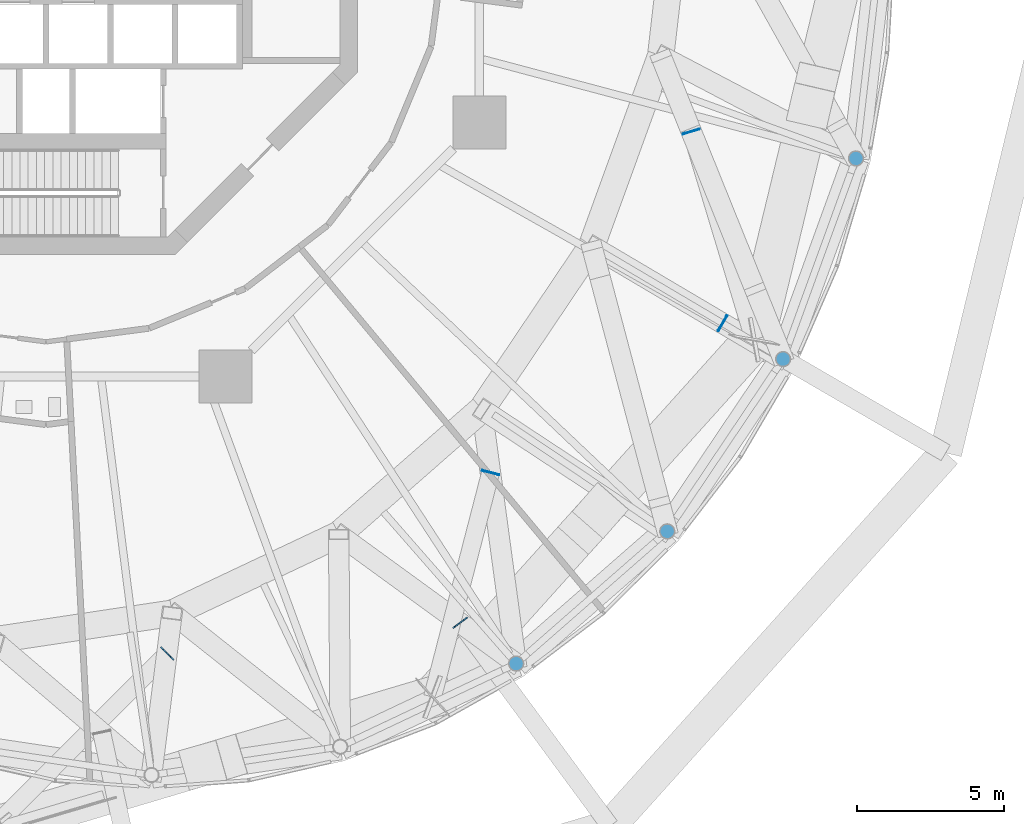
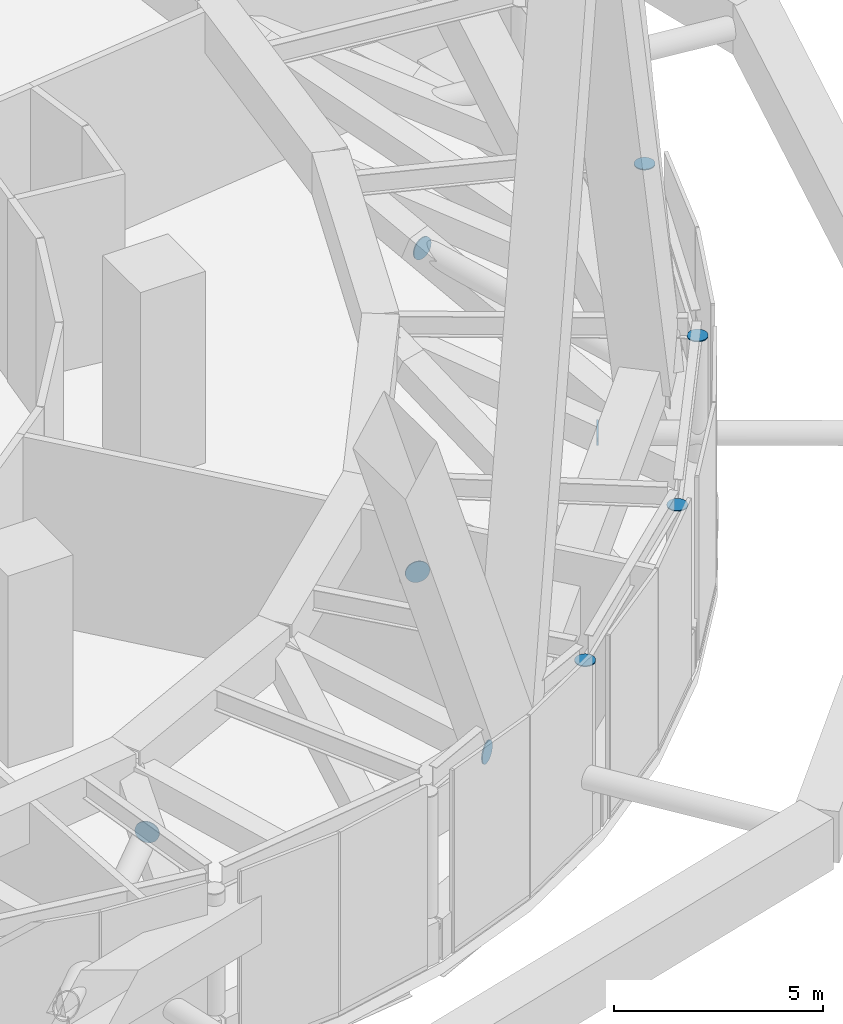
# One storey, part 55 of 60: 9 discrete accessories.
"""IFC4 building model written with IfcOpenShell, lengths in metres."""

from ifc_helpers import new_model, si_unit, direction, frame, origin, origin_2d, place, context, subcontext, project, spatial, circle, extrude, material, layer, layer_set, type_object, element, save


model = new_model("IFC4")

# Units and contexts
model_context = context("Model", 3, precision=1e-05, world=origin(), true_north=direction((0.0, 1.0)))
body_context = subcontext(model_context, "Body", "Model", "MODEL_VIEW")
ifc_project = project(units=[si_unit("LENGTHUNIT", "METRE"), si_unit("AREAUNIT", "SQUARE_METRE"), si_unit("VOLUMEUNIT", "CUBIC_METRE"), si_unit("PLANEANGLEUNIT", "RADIAN"), si_unit("MASSUNIT", "GRAM", prefix="KILO")], contexts=[model_context])

# Site, building, storey
site_placement = place(None, origin())
site = spatial("IfcSite", under=ifc_project, at=site_placement, CompositionType="ELEMENT")
building_placement = place(site_placement, origin())
building = spatial("IfcBuilding", under=site, at=building_placement, Name="Nagisa Residences", CompositionType="ELEMENT")
storey_placement = place(building_placement, frame((0.0, 0.0, 206.60009765625)))
storey = spatial("IfcBuildingStorey", under=building, at=storey_placement, Name="L52", CompositionType="ELEMENT", Elevation=206.60009765625)

# Discrete accessories
ifc_material_1 = material(Name="Steel ASTM A572 Gr 50", Category="steel")
ifc_layer_1 = layer(ifc_material_1, 0.030029296875)
ifc_layer_set_1 = layer_set([ifc_layer_1], Name="End plate")
discrete_accessory_type_1 = type_object("IfcDiscreteAccessoryType", Name="End plate", PredefinedType="ANCHORPLATE", material=ifc_layer_set_1)
for number, where, z_axis, x_axis, name in (
    (1, (16.03759765625, -24.573486328125, 4.73681640625), (0.0, 0.0, 1.0), (1.0, 0.0, 0.0), "End plate GP421"),
    (2, (21.189208984375, -20.064208984375, 4.73681640625), (0.0, 0.0, 1.0), (1.0, 0.0, 0.0), "End plate GP422"),
    (3, (25.142333984375, -14.1875, 4.73681640625), (0.0, 0.0, 1.0), (1.0, 0.0, 0.0), "End plate GP423"),
    (4, (27.62744140625, -7.343994140625, 4.73681640625), (0.0, 0.0, 1.0), (1.0, 0.0, 0.0), "End plate GP424"),
):
    element("IfcDiscreteAccessory", number, at=place(storey_placement, frame(where, z_axis=z_axis, x_axis=x_axis)), inside=storey, type_object=discrete_accessory_type_1, Name=name, PredefinedType="ANCHORPLATE", context=body_context, shape_type="SweptSolid", body=[
        extrude(circle(Radius=0.25390625, at=origin_2d()), origin(), (0.0, 0.0, 1.0), 0.030029296875),
    ])
ifc_material_2 = material(Name="Steel ASTM A572 Gr 50", Category="steel")
ifc_layer_2 = layer(ifc_material_2, 0.030029296875)
ifc_layer_set_2 = layer_set([ifc_layer_2], Name="Node plate")
discrete_accessory_type_2 = type_object("IfcDiscreteAccessoryType", Name="Node plate", PredefinedType="ANCHORPLATE", material=ifc_layer_set_2)
for number, where, z_axis, x_axis, name in (
    (5, (14.136962890625, -23.190673828125, 1.89990234375), (-0.593476321419, 0.804851449595, 0.0), (-0.804851449595, -0.593476321419, 0.0), "Node plate ST4A11"),
    (6, (23.091796875, -12.975341796875, 1.89990234375), (-0.863187603129, 0.504883315038, 0.0), (-0.504883315038, -0.863187603129, 0.0), "Node plate ST4A12"),
    (7, (4.12451171875, -24.242431640625, 3.699951171875), (0.707106781187, 0.707106781187, 0.0), (-0.707106781187, 0.707106781187, 0.0), "Node plate ST5B10"),
    (8, (15.16064453125, -18.076171875, 3.699951171875), (0.252090846721, 0.967703572898, 0.0), (-0.967703572898, 0.252090846721, 0.0), "Node plate ST5B11"),
    (9, (22.015869140625, -6.44091796875, 3.699951171875), (-0.29180664309, 0.956477330128, 0.0), (-0.956477330128, -0.29180664309, 0.0), "Node plate ST5B12"),
):
    element("IfcDiscreteAccessory", number, at=place(storey_placement, frame(where, z_axis=z_axis, x_axis=x_axis)), inside=storey, type_object=discrete_accessory_type_2, Name=name, PredefinedType="ANCHORPLATE", context=body_context, shape_type="SweptSolid", body=[
        extrude(circle(Radius=0.304931640625, at=origin_2d()), origin(), (0.0, 0.0, 1.0), 0.030029296875),
    ])

save(model, "model.ifc")
